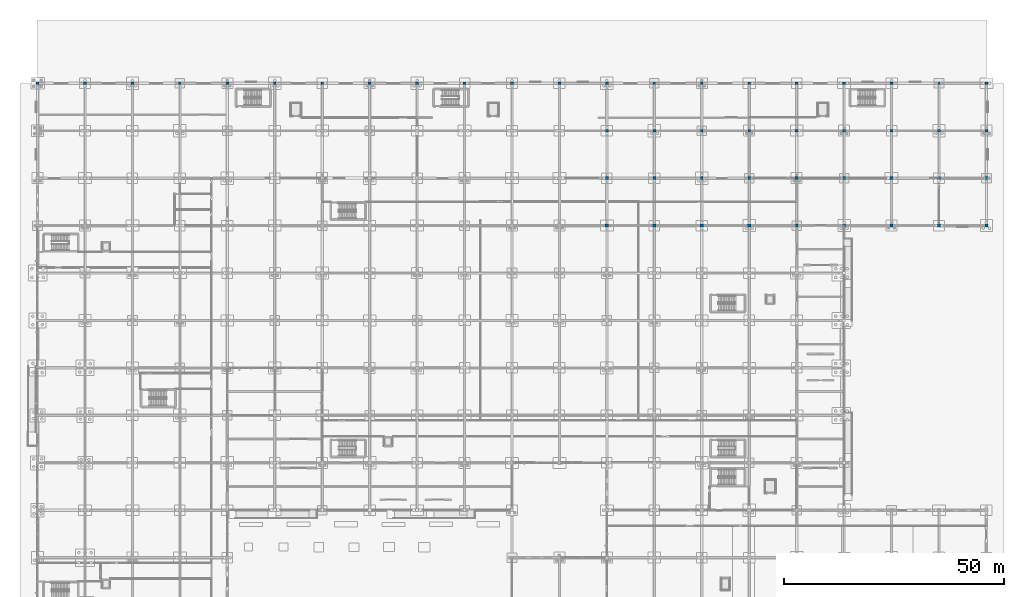
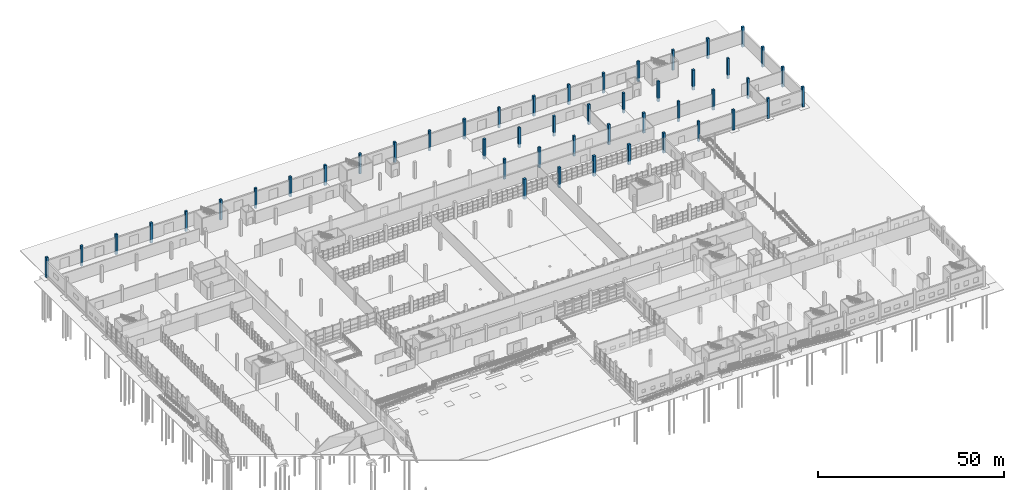
# One storey, part 14 of 138: 48 columns.
"""IFC4 building model written with IfcOpenShell, lengths in metres."""

from ifc_helpers import new_model, si_unit, direction, frame, origin, origin_2d, place, context, subcontext, project, spatial, rectangle, extrude, material, material_profile, profile_set, type_object, element, save


model = new_model("IFC4")

# Units and contexts
model_context = context("Model", 3, precision=1e-05, world=origin(), true_north=direction((0.0, 1.0)))
body_context = subcontext(model_context, "Body", "Model", "MODEL_VIEW")
ifc_project = project(units=[si_unit("LENGTHUNIT", "METRE"), si_unit("AREAUNIT", "SQUARE_METRE"), si_unit("VOLUMEUNIT", "CUBIC_METRE"), si_unit("PLANEANGLEUNIT", "RADIAN"), si_unit("MASSUNIT", "GRAM", prefix="KILO")], contexts=[model_context])

# Site, building, storey
site_placement = place(None, origin())
site = spatial("IfcSite", under=ifc_project, at=site_placement, CompositionType="ELEMENT")
building_placement = place(site_placement, origin())
building = spatial("IfcBuilding", under=site, at=building_placement, Name="Zwinboog Wholesale Market", CompositionType="ELEMENT")
storey_placement = place(building_placement, origin())
storey = spatial("IfcBuildingStorey", under=building, at=storey_placement, Name="L00", CompositionType="ELEMENT", Elevation=0.0)

# Columns
ifc_material = material(Name="Precast concrete C45/55", Category="concrete")
ifc_material_profile_1 = material_profile(ifc_material, rectangle(XDim=0.75, YDim=0.75, at=origin_2d()), Name="PC 750x750")
ifc_profile_set_1 = profile_set([ifc_material_profile_1], Name="Precast concrete C45/55")
column_type_1 = type_object("IfcColumnType", Name="CT-01", PredefinedType="COLUMN", material=ifc_profile_set_1)
for number, where, z_axis, x_axis, name in (
    (1, (129.60009765625, 97.199951171875, -1.199951171875), (0.0, 0.0, 1.0), (1.0, 0.0, 0.0), "C-01 (COL-L00-0285)"),
    (2, (140.39990234375, 97.199951171875, -1.199951171875), (0.0, 0.0, 1.0), (1.0, 0.0, 0.0), "C-01 (COL-L00-0317)"),
    (3, (151.199951171875, 97.199951171875, -1.199951171875), (0.0, 0.0, 1.0), (1.0, 0.0, 0.0), "C-01 (COL-L00-0353)"),
    (4, (162.0, 97.199951171875, -1.199951171875), (0.0, 0.0, 1.0), (1.0, 0.0, 0.0), "C-01 (COL-L00-0389)"),
):
    element("IfcColumn", number, at=place(storey_placement, frame(where, z_axis=z_axis, x_axis=x_axis)), inside=storey, type_object=column_type_1, Name=name, PredefinedType="COLUMN", context=body_context, shape_type="SweptSolid", body=[
        extrude(rectangle(XDim=0.75, YDim=0.75, at=origin_2d()), origin(), (0.0, 0.0, 1.0), 6.599853515625),
    ])
ifc_material_profile_2 = material_profile(ifc_material, rectangle(XDim=0.64990234375, YDim=0.64990234375, at=origin_2d()), Name="PC 650x650")
ifc_profile_set_2 = profile_set([ifc_material_profile_2], Name="Precast concrete C45/55")
column_type_2 = type_object("IfcColumnType", Name="CT-03", PredefinedType="COLUMN", material=ifc_profile_set_2)
for number, where, z_axis, x_axis, name in (
    (5, (0.0, 129.60009765625, -1.199951171875), (0.0, 0.0, 1.0), (1.0, 0.0, 0.0), "C-03 (COL-L00-0025)"),
    (6, (10.800048828125, 129.60009765625, -1.199951171875), (0.0, 0.0, 1.0), (1.0, 0.0, 0.0), "C-03 (COL-L00-0051)"),
    (7, (21.60009765625, 129.60009765625, -1.199951171875), (0.0, 0.0, 1.0), (1.0, 0.0, 0.0), "C-03 (COL-L00-0077)"),
    (8, (32.39990234375, 129.60009765625, -1.199951171875), (0.0, 0.0, 1.0), (1.0, 0.0, 0.0), "C-03 (COL-L00-0103)"),
    (9, (43.199951171875, 129.60009765625, -1.199951171875), (0.0, 0.0, 1.0), (1.0, 0.0, 0.0), "C-03 (COL-L00-0129)"),
    (10, (54.0, 129.60009765625, -1.199951171875), (0.0, 0.0, 1.0), (1.0, 0.0, 0.0), "C-03 (COL-L00-0146)"),
    (11, (64.800048828125, 129.60009765625, -1.199951171875), (0.0, 0.0, 1.0), (1.0, 0.0, 0.0), "C-03 (COL-L00-0165)"),
    (12, (75.60009765625, 129.60009765625, -1.199951171875), (0.0, 0.0, 1.0), (1.0, 0.0, 0.0), "C-03 (COL-L00-0184)"),
    (13, (86.39990234375, 129.60009765625, -1.199951171875), (0.0, 0.0, 1.0), (1.0, 0.0, 0.0), "C-03 (COL-L00-0203)"),
    (14, (97.199951171875, 129.60009765625, -1.199951171875), (0.0, 0.0, 1.0), (1.0, 0.0, 0.0), "C-03 (COL-L00-0220)"),
    (15, (108.0, 129.60009765625, -1.199951171875), (0.0, 0.0, 1.0), (1.0, 0.0, 0.0), "C-03 (COL-L00-0240)"),
    (16, (118.800048828125, 129.60009765625, -1.199951171875), (0.0, 0.0, 1.0), (1.0, 0.0, 0.0), "C-03 (COL-L00-0259)"),
    (17, (129.60009765625, 108.0, -1.199951171875), (0.0, 0.0, 1.0), (1.0, 0.0, 0.0), "C-03 (COL-L00-0287)"),
    (18, (129.60009765625, 118.800048828125, -1.199951171875), (0.0, 0.0, 1.0), (1.0, 0.0, 0.0), "C-03 (COL-L00-0289)"),
    (19, (129.60009765625, 129.60009765625, -1.199951171875), (0.0, 0.0, 1.0), (1.0, 0.0, 0.0), "C-03 (COL-L00-0291)"),
    (20, (140.39990234375, 108.0, -1.199951171875), (0.0, 0.0, 1.0), (1.0, 0.0, 0.0), "C-03 (COL-L00-0319)"),
    (21, (140.39990234375, 118.800048828125, -1.199951171875), (0.0, 0.0, 1.0), (1.0, 0.0, 0.0), "C-03 (COL-L00-0321)"),
    (22, (140.39990234375, 129.60009765625, -1.199951171875), (0.0, 0.0, 1.0), (1.0, 0.0, 0.0), "C-03 (COL-L00-0323)"),
    (23, (151.199951171875, 108.0, -1.199951171875), (0.0, 0.0, 1.0), (1.0, 0.0, 0.0), "C-03 (COL-L00-0355)"),
    (24, (151.199951171875, 118.800048828125, -1.199951171875), (0.0, 0.0, 1.0), (1.0, 0.0, 0.0), "C-03 (COL-L00-0357)"),
    (25, (151.199951171875, 129.60009765625, -1.199951171875), (0.0, 0.0, 1.0), (1.0, 0.0, 0.0), "C-03 (COL-L00-0359)"),
    (26, (162.0, 108.0, -1.199951171875), (0.0, 0.0, 1.0), (1.0, 0.0, 0.0), "C-03 (COL-L00-0391)"),
    (27, (162.0, 118.800048828125, -1.199951171875), (0.0, 0.0, 1.0), (1.0, 0.0, 0.0), "C-03 (COL-L00-0393)"),
    (28, (162.0, 129.60009765625, -1.199951171875), (0.0, 0.0, 1.0), (1.0, 0.0, 0.0), "C-03 (COL-L00-0395)"),
    (29, (172.800048828125, 97.199951171875, -1.199951171875), (0.0, 0.0, 1.0), (1.0, 0.0, 0.0), "C-03 (COL-L00-0425)"),
    (30, (172.800048828125, 108.0, -1.199951171875), (0.0, 0.0, 1.0), (1.0, 0.0, 0.0), "C-03 (COL-L00-0427)"),
    (31, (172.800048828125, 118.800048828125, -1.199951171875), (0.0, 0.0, 1.0), (1.0, 0.0, 0.0), "C-03 (COL-L00-0429)"),
    (32, (172.800048828125, 129.60009765625, -1.199951171875), (0.0, 0.0, 1.0), (1.0, 0.0, 0.0), "C-03 (COL-L00-0431)"),
    (33, (183.60009765625, 97.199951171875, -1.199951171875), (0.0, 0.0, 1.0), (1.0, 0.0, 0.0), "C-03 (COL-L00-0450)"),
    (34, (183.60009765625, 108.0, -1.199951171875), (0.0, 0.0, 1.0), (1.0, 0.0, 0.0), "C-03 (COL-L00-0451)"),
    (35, (183.60009765625, 118.800048828125, -1.199951171875), (0.0, 0.0, 1.0), (1.0, 0.0, 0.0), "C-03 (COL-L00-0453)"),
    (36, (183.60009765625, 129.60009765625, -1.199951171875), (0.0, 0.0, 1.0), (1.0, 0.0, 0.0), "C-03 (COL-L00-0455)"),
    (37, (194.39990234375, 97.199951171875, -1.199951171875), (0.0, 0.0, 1.0), (1.0, 0.0, 0.0), "C-03 (COL-L00-0469)"),
    (38, (194.39990234375, 108.0, -1.199951171875), (0.0, 0.0, 1.0), (1.0, 0.0, 0.0), "C-03 (COL-L00-0470)"),
    (39, (194.39990234375, 118.800048828125, -1.199951171875), (0.0, 0.0, 1.0), (1.0, 0.0, 0.0), "C-03 (COL-L00-0472)"),
    (40, (194.39990234375, 129.60009765625, -1.199951171875), (0.0, 0.0, 1.0), (1.0, 0.0, 0.0), "C-03 (COL-L00-0474)"),
    (41, (205.199951171875, 97.199951171875, -1.199951171875), (0.0, 0.0, 1.0), (1.0, 0.0, 0.0), "C-03 (COL-L00-0488)"),
    (42, (205.199951171875, 108.0, -1.199951171875), (0.0, 0.0, 1.0), (1.0, 0.0, 0.0), "C-03 (COL-L00-0489)"),
    (43, (205.199951171875, 118.800048828125, -1.199951171875), (0.0, 0.0, 1.0), (1.0, 0.0, 0.0), "C-03 (COL-L00-0491)"),
    (44, (205.199951171875, 129.60009765625, -1.199951171875), (0.0, 0.0, 1.0), (1.0, 0.0, 0.0), "C-03 (COL-L00-0493)"),
    (45, (216.0, 97.199951171875, -1.199951171875), (0.0, 0.0, 1.0), (1.0, 0.0, 0.0), "C-03 (COL-L00-0507)"),
    (46, (216.0, 108.0, -1.199951171875), (0.0, 0.0, 1.0), (1.0, 0.0, 0.0), "C-03 (COL-L00-0508)"),
    (47, (216.0, 118.800048828125, -1.199951171875), (0.0, 0.0, 1.0), (1.0, 0.0, 0.0), "C-03 (COL-L00-0510)"),
    (48, (216.0, 129.60009765625, -1.199951171875), (0.0, 0.0, 1.0), (1.0, 0.0, 0.0), "C-03 (COL-L00-0512)"),
):
    element("IfcColumn", number, at=place(storey_placement, frame(where, z_axis=z_axis, x_axis=x_axis)), inside=storey, type_object=column_type_2, Name=name, PredefinedType="COLUMN", context=body_context, shape_type="SweptSolid", body=[
        extrude(rectangle(XDim=0.64990234375, YDim=0.64990234375, at=origin_2d()), origin(), (0.0, 0.0, 1.0), 6.599853515625),
    ])

save(model, "model.ifc")
